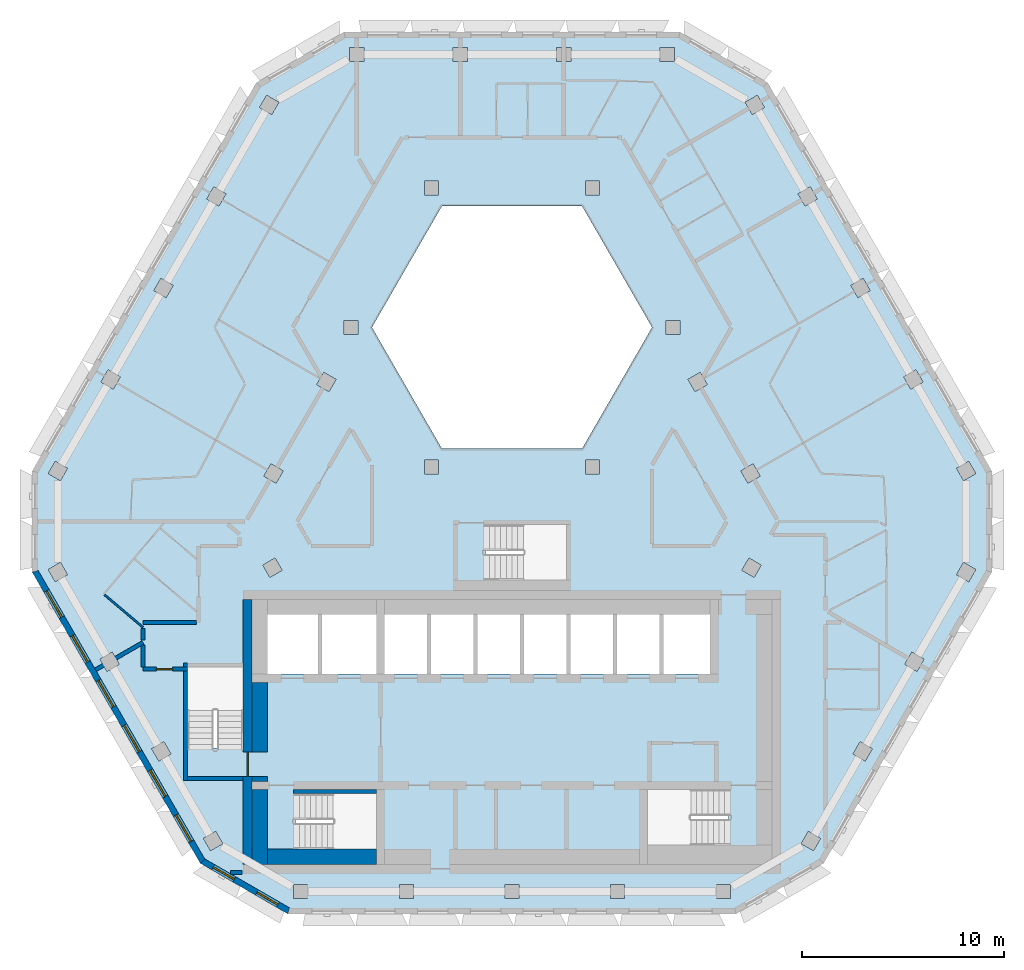
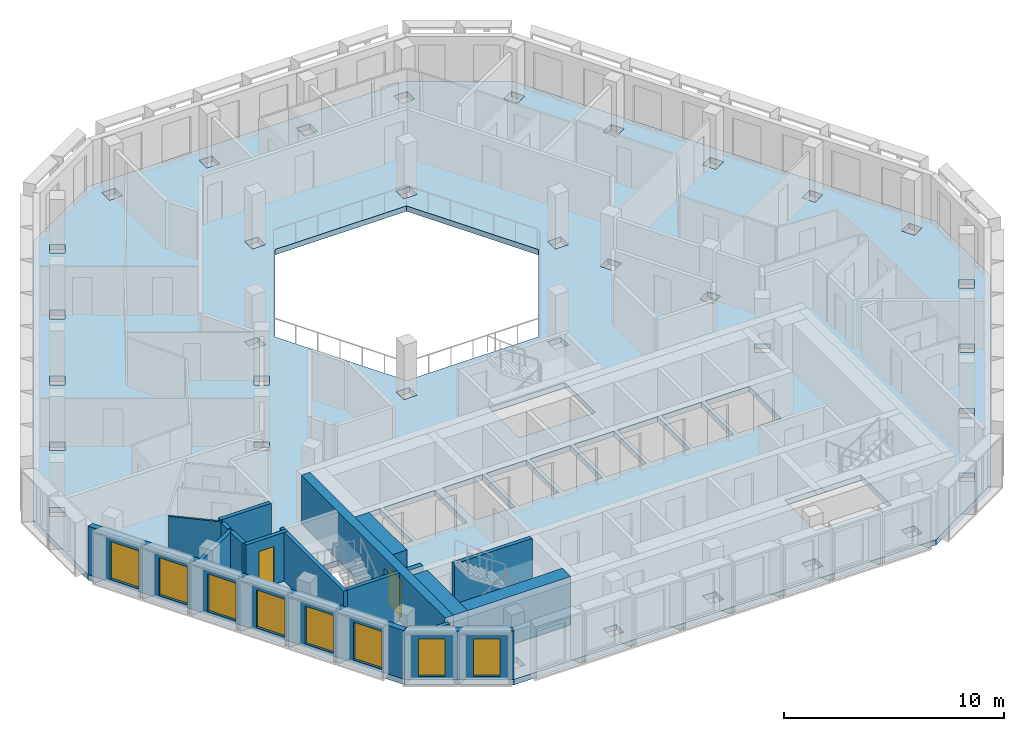
# One storey, part 2 of 16: 17 walls, 8 windows, 2 doors, 1 slab, 10 openings.
"""IFC4 building model written with IfcOpenShell, lengths in metres."""

import ifcopenshell
import ifcopenshell.guid

model = None  # the IFC model being written
_history = None  # IfcOwnerHistory: only IFC2X3 demands one
_inside = {}  # id of a spatial element -> (the spatial element, [elements in it])
_under = {}  # id of a project, library or spatial element -> (it, [spatial elements below it])
_declared = {}  # id of a project -> (the project, [libraries it declares])
_typed = {}  # id of a type object -> (the type object, [elements of that type])
_made_of = {}  # id of a material, layer set ... -> (it, [elements and type objects made of it])


def new_model(schema):
    """Start an empty IFC model of exactly this schema.

    Asked for "IFC4X3", IfcOpenShell would pick the latest addendum, in which some entities
    have other attributes; the version numbers below select the first issue.
    IFC2X3 requires an IfcOwnerHistory on every rooted entity: one is made here for all.
    """
    global model, _history
    if schema == "IFC4X3":
        model = ifcopenshell.file(schema_version=(4, 3, 0, 0))
    else:
        model = ifcopenshell.file(schema=schema)
    _inside.clear()
    _under.clear()
    _declared.clear()
    _typed.clear()
    _made_of.clear()
    _history = None
    if model.schema == "IFC2X3":
        org = make("IfcOrganization", Name="unknown")
        user = make(
            "IfcPersonAndOrganization",
            ThePerson=make("IfcPerson", FamilyName="unknown"),
            TheOrganization=org,
        )
        app = make(
            "IfcApplication",
            ApplicationDeveloper=org,
            Version="unknown",
            ApplicationFullName="unknown",
            ApplicationIdentifier="unknown",
        )
        _history = make(
            "IfcOwnerHistory",
            OwningUser=user,
            OwningApplication=app,
            ChangeAction="ADDED",
            CreationDate=0,
        )
    return model


def make(cls, **values):
    """One entity of the class cls with the attributes given. An attribute that is None is left unset."""
    return model.create_entity(
        cls, **{name: value for name, value in values.items() if value is not None}
    )


def rooted(cls, **values):
    """An entity with a GlobalId (a new one), such as an element, a storey or a relation."""
    return make(cls, GlobalId=ifcopenshell.guid.new(), OwnerHistory=_history, **values)


def si_unit(unit_type, name, prefix=None):
    """IfcSIUnit, for example si_unit("LENGTHUNIT", "METRE", prefix="MILLI")."""
    return make("IfcSIUnit", UnitType=unit_type, Prefix=prefix, Name=name)


def assignment(units):
    """IfcUnitAssignment: the units of a project."""
    return None if units is None else make("IfcUnitAssignment", Units=units)


def point(xyz):
    """IfcCartesianPoint."""
    return None if xyz is None else make("IfcCartesianPoint", Coordinates=xyz)


def direction(xyz):
    """IfcDirection."""
    return None if xyz is None else make("IfcDirection", DirectionRatios=xyz)


def frame(location, z_axis=None, x_axis=None):
    """IfcAxis2Placement3D, a coordinate frame: its origin and axes. An axis left out is left unset."""
    return make(
        "IfcAxis2Placement3D",
        Location=point(location),
        Axis=direction(z_axis),
        RefDirection=direction(x_axis),
    )


def frame_2d(location, x_axis=None):
    """IfcAxis2Placement2D, a coordinate frame in the plane: its origin and x axis."""
    return make(
        "IfcAxis2Placement2D", Location=point(location), RefDirection=direction(x_axis)
    )


def origin():
    """The frame at (0, 0, 0) with its axes left unset."""
    return frame((0.0, 0.0, 0.0))


def place(relative_to, where):
    """IfcLocalPlacement: puts the frame where relative to a parent placement (None: the world)."""
    return make(
        "IfcLocalPlacement", PlacementRelTo=relative_to, RelativePlacement=where
    )


def context(
    kind, dimensions, precision=None, world=None, true_north=None, identifier=None
):
    """IfcGeometricRepresentationContext, for example the 3D "Model" context."""
    return make(
        "IfcGeometricRepresentationContext",
        ContextIdentifier=identifier,
        ContextType=kind,
        CoordinateSpaceDimension=dimensions,
        Precision=precision,
        WorldCoordinateSystem=world,
        TrueNorth=true_north,
    )


def subcontext(parent, identifier, kind, view, scale=None):
    """IfcGeometricRepresentationSubContext, for example "Body" below "Model"."""
    return make(
        "IfcGeometricRepresentationSubContext",
        ContextIdentifier=identifier,
        ContextType=kind,
        ParentContext=parent,
        TargetScale=scale,
        TargetView=view,
    )


def project(units=None, contexts=None):
    """IfcProject with its units and contexts."""
    return rooted(
        "IfcProject",
        Name="project",
        RepresentationContexts=contexts,
        UnitsInContext=assignment(units),
    )


def spatial(cls, under=None, at=None, **own):
    """A site, building, storey or space (cls), placed at a placement, below another one or the project."""
    s = rooted(cls, ObjectPlacement=at, **own)
    if under is not None:
        _under.setdefault(under.id(), (under, []))[1].append(s)
    return s


def polyline(points):
    """IfcPolyline through the points."""
    return make("IfcPolyline", Points=[point(p) for p in points])


def profile(cls, at=None, kind="AREA", **sizes):
    """A parametric profile (cls). Its sizes go by their IFC names, for example OverallWidth=200.0."""
    return make(cls, ProfileType=kind, Position=at, **sizes)


def rectangle(**sizes):
    """IfcRectangleProfileDef."""
    return profile("IfcRectangleProfileDef", **sizes)


def outline(outer, holes=None, kind="AREA"):
    """IfcArbitraryClosedProfileDef: a profile drawn as a closed curve; with holes, ...WithVoids."""
    if holes is None:
        return make("IfcArbitraryClosedProfileDef", ProfileType=kind, OuterCurve=outer)
    return make(
        "IfcArbitraryProfileDefWithVoids",
        ProfileType=kind,
        OuterCurve=outer,
        InnerCurves=holes,
    )


def extrude(swept, where, along, depth):
    """IfcExtrudedAreaSolid: the profile swept, set in the frame where, extruded along a direction by depth."""
    return make(
        "IfcExtrudedAreaSolid",
        SweptArea=swept,
        Position=where,
        ExtrudedDirection=direction(along),
        Depth=depth,
    )


def shape(context_of_items, identifier, shape_type, items):
    """IfcShapeRepresentation: the items that make up one representation, for example the "Body"."""
    return make(
        "IfcShapeRepresentation",
        ContextOfItems=context_of_items,
        RepresentationIdentifier=identifier,
        RepresentationType=shape_type,
        Items=items,
    )


def material(Name=None, Category=None):
    """IfcMaterial."""
    return make("IfcMaterial", Name=Name, Category=Category)


def layer(
    of_material, thickness, ventilated=None, Name=None, Category=None, Priority=None
):
    """IfcMaterialLayer: one layer of a wall or slab, of a material (None: an air gap)."""
    return make(
        "IfcMaterialLayer",
        Material=of_material,
        LayerThickness=thickness,
        IsVentilated=ventilated,
        Name=Name,
        Category=Category,
        Priority=Priority,
    )


def layer_set(layers, Name=None):
    """IfcMaterialLayerSet."""
    return make("IfcMaterialLayerSet", MaterialLayers=layers, LayerSetName=Name)


def made_of(thing, what):
    """Note that an element or type object is made of a material, layer set ...; save() writes the relation."""
    if what is not None:
        _made_of.setdefault(what.id(), (what, []))[1].append(thing)
    return thing


def type_object(cls, material=None, **own):
    """A type object (cls), such as IfcWallType, which elements share."""
    return made_of(rooted(cls, **own), material)


def element(
    cls,
    number,
    at=None,
    inside=None,
    cuts=None,
    type_object=None,
    material=None,
    context=None,
    identifier="Body",
    shape_type=None,
    held_by="IfcProductDefinitionShape",
    body=None,
    shapes=None,
    **own,
):
    """One element of the class cls, such as IfcWall. Its Tag is "e" and its number.

    at: its placement. inside: the storey or other place that contains it. cuts: it is an
    opening in that element (IfcRelVoidsElement). A single representation is given by context,
    identifier, shape_type and body (its items); several are given by shapes. held_by: the class
    of the entity that holds the representations. save() writes the other relations.
    """
    e = rooted(cls, Tag="e%d" % number, ObjectPlacement=at, **own)
    if body is not None:
        shapes = [shape(context, identifier, shape_type, body)]
    if shapes is not None:
        e.Representation = make(held_by, Representations=shapes)
    if inside is not None:
        _inside.setdefault(inside.id(), (inside, []))[1].append(e)
    if cuts is not None:
        rooted(
            "IfcRelVoidsElement", RelatingBuildingElement=cuts, RelatedOpeningElement=e
        )
    if type_object is not None:
        _typed.setdefault(type_object.id(), (type_object, []))[1].append(e)
    return made_of(e, material)


def fill(opening, filler):
    """IfcRelFillsElement: the door or window that sits in an opening."""
    return rooted(
        "IfcRelFillsElement",
        RelatingOpeningElement=opening,
        RelatedBuildingElement=filler,
    )


def aggregate(whole, parts):
    """IfcRelAggregates: a whole, such as a stair, and the parts it consists of."""
    return rooted("IfcRelAggregates", RelatingObject=whole, RelatedObjects=parts)


def save(model, path):
    """Write the relations noted so far, then the file.

    IfcRelAggregates (storeys below a building ...), IfcRelContainedInSpatialStructure (elements
    in a storey), IfcRelDefinesByType, IfcRelAssociatesMaterial and IfcRelDeclares: one each for
    every whole, place, type object, material and project.
    """
    for whole, parts in _under.values():
        aggregate(whole, parts)
    for where, things in _inside.values():
        rooted(
            "IfcRelContainedInSpatialStructure",
            RelatedElements=things,
            RelatingStructure=where,
        )
    for kind, things in _typed.values():
        rooted("IfcRelDefinesByType", RelatedObjects=things, RelatingType=kind)
    for what, things in _made_of.values():
        rooted("IfcRelAssociatesMaterial", RelatedObjects=things, RelatingMaterial=what)
    for by, libraries in _declared.values():
        rooted("IfcRelDeclares", RelatingContext=by, RelatedDefinitions=libraries)
    model.write(path)


model = new_model("IFC4")

# Units and contexts
model_context = context("Model", 3, precision=1e-05, world=origin(), true_north=direction((0.0, 1.0)))
body_context = subcontext(model_context, "Body", "Model", "MODEL_VIEW")
ifc_project = project(units=[si_unit("LENGTHUNIT", "METRE"), si_unit("AREAUNIT", "SQUARE_METRE"), si_unit("VOLUMEUNIT", "CUBIC_METRE"), si_unit("PLANEANGLEUNIT", "RADIAN"), si_unit("MASSUNIT", "GRAM", prefix="KILO")], contexts=[model_context])

# Site, building, storey
site_placement = place(None, origin())
site = spatial("IfcSite", under=ifc_project, at=site_placement, CompositionType="ELEMENT")
building_placement = place(site_placement, origin())
building = spatial("IfcBuilding", under=site, at=building_placement, Name="Beryl Residences", CompositionType="ELEMENT")
storey_placement = place(building_placement, frame((0.0, 0.0, 220.800048828125)))
storey = spatial("IfcBuildingStorey", under=building, at=storey_placement, Name="L68", CompositionType="ELEMENT", Elevation=220.800048828125)

# Slab
ifc_material_1 = material(Name="Concrete C40/50", Category="concrete")
ifc_layer_1 = layer(ifc_material_1, 0.300048828125)
ifc_layer_set_1 = layer_set([ifc_layer_1], Name="SL7 PT floor slab 300 mm C40/50")
slab_type = type_object("IfcSlabType", Name="SL7 PT floor slab 300 mm C40/50", PredefinedType="FLOOR", material=ifc_layer_set_1)
slab_placement = place(storey_placement, frame((0.0, 0.0, -0.300048828125)))
element("IfcSlab", 1, at=slab_placement, inside=storey, type_object=slab_type, Name="L68 slab 1", PredefinedType="FLOOR", context=body_context, shape_type="SweptSolid", body=[
    extrude(outline(polyline([(23.72900390625, -4.10009765625), (15.4150390625, -18.5), (11.0849609375, -21.0), (-11.0849609375, -21.0), (-15.4150390625, -18.5), (-23.72900390625, -4.10009765625), (-23.72900390625, 0.89990234375), (-12.64404296875, 20.10009765625), (-8.31396484375, 22.60009765625), (8.31396484375, 22.60009765625), (12.64404296875, 20.10009765625), (23.72900390625, 0.89990234375), (23.72900390625, -4.10009765625)]), holes=[polyline([(21.97998046875, 1.028076171875), (22.330078125, 0.422119140625), (22.93603515625, 0.77197265625), (22.5859375, 1.3779296875), (21.97998046875, 1.028076171875)]), polyline([(21.97998046875, -4.22900390625), (22.5859375, -4.5791015625), (22.93603515625, -3.972900390625), (22.330078125, -3.623046875), (21.97998046875, -4.22900390625)]), polyline([(19.77099609375, -8.055908203125), (19.4208984375, -8.662109375), (20.027099609375, -9.011962890625), (20.376953125, -8.406005859375), (19.77099609375, -8.055908203125)]), polyline([(19.367919921875, 5.552978515625), (19.718017578125, 4.947021484375), (20.323974609375, 5.297119140625), (19.97412109375, 5.903076171875), (19.367919921875, 5.552978515625)]), polyline([(17.2109375, -12.489013671875), (16.861083984375, -13.094970703125), (17.467041015625, -13.445068359375), (17.81689453125, -12.839111328125), (17.2109375, -12.489013671875)]), polyline([(17.361083984375, 10.427978515625), (16.7548828125, 10.077880859375), (17.10498046875, 9.471923828125), (17.7109375, 9.822021484375), (17.361083984375, 10.427978515625)]), polyline([(15.258056640625, -17.27197265625), (14.652099609375, -16.922119140625), (14.302001953125, -17.528076171875), (14.907958984375, -17.8779296875), (15.258056640625, -17.27197265625)]), polyline([(14.14306640625, 14.60302734375), (14.492919921875, 13.9970703125), (15.09912109375, 14.346923828125), (14.7490234375, 14.952880859375), (14.14306640625, 14.60302734375)]), polyline([(11.531005859375, 19.1279296875), (11.881103515625, 18.52197265625), (12.487060546875, 18.8720703125), (12.136962890625, 19.47802734375), (11.531005859375, 19.1279296875)]), polyline([(11.717041015625, -3.406005859375), (11.366943359375, -4.011962890625), (11.972900390625, -4.362060546875), (12.322998046875, -3.756103515625), (11.717041015625, -3.406005859375)]), polyline([(11.919921875, 1.2529296875), (11.31396484375, 0.903076171875), (11.6640625, 0.297119140625), (12.27001953125, 0.64697265625), (11.919921875, 1.2529296875)]), polyline([(10.800048828125, -19.550048828125), (10.10009765625, -19.550048828125), (10.10009765625, -20.25), (10.800048828125, -20.25), (10.800048828125, -19.550048828125)]), polyline([(6.699951171875, -14.85009765625), (6.699951171875, -17.60009765625), (10.699951171875, -17.60009765625), (10.699951171875, -14.85009765625), (6.699951171875, -14.85009765625)]), polyline([(7.5, -9.14990234375), (9.800048828125, -9.14990234375), (9.800048828125, -6.199951171875), (7.5, -6.199951171875), (7.5, -9.14990234375)]), polyline([(8.700927734375, 5.427978515625), (9.051025390625, 4.822021484375), (9.656982421875, 5.172119140625), (9.306884765625, 5.778076171875), (8.700927734375, 5.427978515625)]), polyline([(8.31689453125, 7.64990234375), (8.31689453125, 8.35009765625), (7.616943359375, 8.35009765625), (7.616943359375, 7.64990234375), (8.31689453125, 7.64990234375)]), polyline([(7.3291015625, 21.85009765625), (7.3291015625, 21.14990234375), (8.029052734375, 21.14990234375), (8.029052734375, 21.85009765625), (7.3291015625, 21.85009765625)]), polyline([(5.199951171875, -9.14990234375), (7.300048828125, -9.14990234375), (7.300048828125, -6.199951171875), (5.199951171875, -6.199951171875), (5.199951171875, -9.14990234375)]), polyline([(3.464111328125, 14.0), (-3.464111328125, 14.0), (-6.92822265625, 8.0), (-3.464111328125, 2.0), (3.464111328125, 2.0), (6.92822265625, 8.0), (3.464111328125, 14.0)]), polyline([(4.875, -19.550048828125), (4.875, -20.25), (5.574951171875, -20.25), (5.574951171875, -19.550048828125), (4.875, -19.550048828125)]), polyline([(2.89990234375, -9.14990234375), (5.0, -9.14990234375), (5.0, -6.199951171875), (2.89990234375, -6.199951171875), (2.89990234375, -9.14990234375)]), polyline([(4.333984375, 15.25), (3.634033203125, 15.25), (3.634033203125, 14.550048828125), (4.333984375, 14.550048828125), (4.333984375, 15.25)]), polyline([(4.333984375, 1.449951171875), (3.634033203125, 1.449951171875), (3.634033203125, 0.75), (4.333984375, 0.75), (4.333984375, 1.449951171875)]), polyline([(2.2099609375, 21.85009765625), (2.2099609375, 21.14990234375), (2.909912109375, 21.14990234375), (2.909912109375, 21.85009765625), (2.2099609375, 21.85009765625)]), polyline([(2.699951171875, -9.14990234375), (2.699951171875, -6.199951171875), (0.60009765625, -6.199951171875), (0.60009765625, -9.14990234375), (2.699951171875, -9.14990234375)]), polyline([(2.699951171875, -4.5), (2.699951171875, -1.75), (-1.300048828125, -1.75), (-1.300048828125, -4.5), (2.699951171875, -4.5)]), polyline([(0.39990234375, -6.199951171875), (-1.699951171875, -6.199951171875), (-1.699951171875, -9.14990234375), (0.39990234375, -9.14990234375), (0.39990234375, -6.199951171875)]), polyline([(0.35009765625, -19.550048828125), (-0.35009765625, -19.550048828125), (-0.35009765625, -20.25), (0.35009765625, -20.25), (0.35009765625, -19.550048828125)]), polyline([(-4.0, -9.14990234375), (-1.89990234375, -9.14990234375), (-1.89990234375, -6.199951171875), (-4.0, -6.199951171875), (-4.0, -9.14990234375)]), polyline([(-2.908935546875, 21.14990234375), (-2.208984375, 21.14990234375), (-2.208984375, 21.85009765625), (-2.908935546875, 21.85009765625), (-2.908935546875, 21.14990234375)]), polyline([(-3.634033203125, 15.25), (-4.333984375, 15.25), (-4.333984375, 14.550048828125), (-3.634033203125, 14.550048828125), (-3.634033203125, 15.25)]), polyline([(-4.333984375, 1.449951171875), (-4.333984375, 0.75), (-3.634033203125, 0.75), (-3.634033203125, 1.449951171875), (-4.333984375, 1.449951171875)]), polyline([(-6.300048828125, -9.14990234375), (-4.199951171875, -9.14990234375), (-4.199951171875, -6.199951171875), (-6.300048828125, -6.199951171875), (-6.300048828125, -9.14990234375)]), polyline([(-4.875, -19.550048828125), (-5.574951171875, -19.550048828125), (-5.574951171875, -20.25), (-4.875, -20.25), (-4.875, -19.550048828125)]), polyline([(-9.39990234375, -6.199951171875), (-9.39990234375, -9.14990234375), (-6.699951171875, -9.14990234375), (-6.699951171875, -6.199951171875), (-9.39990234375, -6.199951171875)]), polyline([(-10.699951171875, -15.050048828125), (-10.699951171875, -17.800048828125), (-6.699951171875, -17.800048828125), (-6.699951171875, -15.050048828125), (-10.699951171875, -15.050048828125)]), polyline([(-8.028076171875, 21.14990234375), (-7.327880859375, 21.14990234375), (-7.327880859375, 21.85009765625), (-8.028076171875, 21.85009765625), (-8.028076171875, 21.14990234375)]), polyline([(-7.616943359375, 7.64990234375), (-7.616943359375, 8.35009765625), (-8.31689453125, 8.35009765625), (-8.31689453125, 7.64990234375), (-7.616943359375, 7.64990234375)]), polyline([(-9.051025390625, 4.822021484375), (-8.700927734375, 5.427978515625), (-9.306884765625, 5.778076171875), (-9.656982421875, 5.172119140625), (-9.051025390625, 4.822021484375)]), polyline([(-12.10009765625, -9.14990234375), (-9.60009765625, -9.14990234375), (-9.60009765625, -6.199951171875), (-12.10009765625, -6.199951171875), (-12.10009765625, -9.14990234375)]), polyline([(-10.800048828125, -19.550048828125), (-10.800048828125, -20.25), (-10.10009765625, -20.25), (-10.10009765625, -19.550048828125), (-10.800048828125, -19.550048828125)]), polyline([(-12.27001953125, 0.64697265625), (-11.6640625, 0.297119140625), (-11.31396484375, 0.903076171875), (-11.919921875, 1.2529296875), (-12.27001953125, 0.64697265625)]), polyline([(-11.972900390625, -4.361083984375), (-11.366943359375, -4.010986328125), (-11.717041015625, -3.405029296875), (-12.322998046875, -3.7548828125), (-11.972900390625, -4.361083984375)]), polyline([(-12.487060546875, 18.8720703125), (-11.881103515625, 18.52197265625), (-11.531005859375, 19.1279296875), (-12.136962890625, 19.47802734375), (-12.487060546875, 18.8720703125)]), polyline([(-13.300048828125, -8.800048828125), (-16.050048828125, -8.800048828125), (-16.050048828125, -12.800048828125), (-13.300048828125, -12.800048828125), (-13.300048828125, -8.800048828125)]), polyline([(-14.14306640625, 14.60302734375), (-14.7490234375, 14.952880859375), (-15.09912109375, 14.346923828125), (-14.492919921875, 13.9970703125), (-14.14306640625, 14.60302734375)]), polyline([(-14.302978515625, -17.527099609375), (-14.653076171875, -16.9208984375), (-15.259033203125, -17.27099609375), (-14.908935546875, -17.876953125), (-14.302978515625, -17.527099609375)]), polyline([(-17.10498046875, 9.471923828125), (-16.7548828125, 10.077880859375), (-17.361083984375, 10.427978515625), (-17.7109375, 9.822021484375), (-17.10498046875, 9.471923828125)]), polyline([(-17.2119140625, -12.488037109375), (-17.818115234375, -12.837890625), (-17.468017578125, -13.444091796875), (-16.862060546875, -13.093994140625), (-17.2119140625, -12.488037109375)]), polyline([(-19.718017578125, 4.947021484375), (-19.367919921875, 5.552978515625), (-19.97412109375, 5.903076171875), (-20.323974609375, 5.297119140625), (-19.718017578125, 4.947021484375)]), polyline([(-19.4208984375, -8.660888671875), (-19.77099609375, -8.054931640625), (-20.376953125, -8.405029296875), (-20.027099609375, -9.010986328125), (-19.4208984375, -8.660888671875)]), polyline([(-22.330078125, 0.422119140625), (-21.97998046875, 1.028076171875), (-22.5859375, 1.3779296875), (-22.93603515625, 0.77197265625), (-22.330078125, 0.422119140625)]), polyline([(-21.98095703125, -4.22802734375), (-22.3310546875, -3.6220703125), (-22.93701171875, -3.971923828125), (-22.5869140625, -4.577880859375), (-21.98095703125, -4.22802734375)])]), origin(), (0.0, 0.0, 1.0), 0.300048828125),
])

# Wall, openings, windows
ifc_material_2 = material(Name="Composite metal panel with mineral wool insulation")
ifc_layer_2 = layer(ifc_material_2, 0.300048828125)
ifc_layer_set_2 = layer_set([ifc_layer_2], Name="ES1 pale metal composite panel wall 300 mm")
wall_type_1 = type_object("IfcWallType", Name="ES1 pale metal composite panel wall 300 mm", PredefinedType="SOLIDWALL", material=ifc_layer_set_2)
wall_1_placement = place(storey_placement, frame((-23.59912109375, -4.02490234375, 0.0), z_axis=(0.0, 0.0, 1.0), x_axis=(0.500012653391, -0.866018098222, 0.0)))
wall_1 = element("IfcWall", 2, at=wall_1_placement, inside=storey, type_object=wall_type_1, Name="ES1 external wall L68 SW", PredefinedType="SOLIDWALL", context=body_context, shape_type="SweptSolid", body=[
    extrude(outline(polyline([(0.0, -0.14990234375), (16.6279296875, -0.14990234375), (16.547607421875, 0.14990234375), (0.080322265625, 0.14990234375), (0.0, -0.14990234375)])), origin(), (0.0, 0.0, 1.0), 2.699951171875),
])
opening_1_placement = place(wall_1_placement, frame((1.1640625, 0.0, 0.14990234375)))
opening_1 = element("IfcOpeningElement", 3, at=opening_1_placement, cuts=wall_1, Name="Opening W1", PredefinedType="OPENING", context=body_context, shape_type="SweptSolid", body=[
    extrude(rectangle(XDim=1.5, YDim=2.10009765625, at=frame_2d((0.75, 1.050048828125))), frame((0.0, 0.159912109375, 0.0), z_axis=(0.0, -1.0, 0.0), x_axis=(1.0, 0.0, 0.0)), (0.0, 0.0, 1.0), 0.320068359375),
])
opening_2_placement = place(wall_1_placement, frame((3.72412109375, 0.0, 0.14990234375)))
opening_2 = element("IfcOpeningElement", 4, at=opening_2_placement, cuts=wall_1, Name="Opening W1", PredefinedType="OPENING", context=body_context, shape_type="SweptSolid", body=[
    extrude(rectangle(XDim=1.5, YDim=2.10009765625, at=frame_2d((0.75, 1.050048828125))), frame((0.0, 0.159912109375, 0.0), z_axis=(0.0, -1.0, 0.0), x_axis=(1.0, 0.0, 0.0)), (0.0, 0.0, 1.0), 0.320068359375),
])
opening_3_placement = place(wall_1_placement, frame((6.282958984375, 0.0, 0.14990234375)))
opening_3 = element("IfcOpeningElement", 5, at=opening_3_placement, cuts=wall_1, Name="Opening W1", PredefinedType="OPENING", context=body_context, shape_type="SweptSolid", body=[
    extrude(rectangle(XDim=1.5, YDim=2.10009765625, at=frame_2d((0.75, 1.050048828125))), frame((0.0, 0.159912109375, 0.0), z_axis=(0.0, -1.0, 0.0), x_axis=(1.0, 0.0, 0.0)), (0.0, 0.0, 1.0), 0.320068359375),
])
opening_4_placement = place(wall_1_placement, frame((8.843017578125, 0.0, 0.14990234375)))
opening_4 = element("IfcOpeningElement", 6, at=opening_4_placement, cuts=wall_1, Name="Opening W1", PredefinedType="OPENING", context=body_context, shape_type="SweptSolid", body=[
    extrude(rectangle(XDim=1.5, YDim=2.10009765625, at=frame_2d((0.75, 1.050048828125))), frame((0.0, 0.159912109375, 0.0), z_axis=(0.0, -1.0, 0.0), x_axis=(1.0, 0.0, 0.0)), (0.0, 0.0, 1.0), 0.320068359375),
])
opening_5_placement = place(wall_1_placement, frame((11.403076171875, 0.0, 0.14990234375)))
opening_5 = element("IfcOpeningElement", 7, at=opening_5_placement, cuts=wall_1, Name="Opening W1", PredefinedType="OPENING", context=body_context, shape_type="SweptSolid", body=[
    extrude(rectangle(XDim=1.5, YDim=2.10009765625, at=frame_2d((0.75, 1.050048828125))), frame((0.0, 0.159912109375, 0.0), z_axis=(0.0, -1.0, 0.0), x_axis=(1.0, 0.0, 0.0)), (0.0, 0.0, 1.0), 0.320068359375),
])
opening_6_placement = place(wall_1_placement, frame((13.9619140625, 0.0, 0.14990234375)))
opening_6 = element("IfcOpeningElement", 8, at=opening_6_placement, cuts=wall_1, Name="Opening W1", PredefinedType="OPENING", context=body_context, shape_type="SweptSolid", body=[
    extrude(rectangle(XDim=1.5, YDim=2.10009765625, at=frame_2d((0.75, 1.050048828125))), frame((0.0, 0.159912109375, 0.0), z_axis=(0.0, -1.0, 0.0), x_axis=(1.0, 0.0, 0.0)), (0.0, 0.0, 1.0), 0.320068359375),
])
ifc_material_3 = material(Name="Aluminium and clear glass", Category="aluminium")
window_type_1 = type_object("IfcWindowType", Name="W1 cell window 1500 x 2100 mm", PartitioningType="SINGLE_PANEL", PredefinedType="WINDOW", material=ifc_material_3)
window_1_placement = place(opening_1_placement, origin())
window_1 = element("IfcWindow", 9, at=window_1_placement, inside=storey, type_object=window_type_1, Name="W1 window L68 SW 1", OverallHeight=2.10009765625, OverallWidth=1.5, PartitioningType="SINGLE_PANEL", PredefinedType="WINDOW", context=body_context, shape_type="SweptSolid", body=[
    extrude(rectangle(XDim=1.5, YDim=2.10009765625, at=frame_2d((0.75, 1.050048828125))), frame((0.0, 0.030029296875, 0.0), z_axis=(0.0, -1.0, 0.0), x_axis=(1.0, 0.0, 0.0)), (0.0, 0.0, 1.0), 0.06005859375),
])
fill(opening_1, window_1)
window_2_placement = place(opening_2_placement, origin())
window_2 = element("IfcWindow", 10, at=window_2_placement, inside=storey, type_object=window_type_1, Name="W1 window L68 SW 2", OverallHeight=2.10009765625, OverallWidth=1.5, PartitioningType="SINGLE_PANEL", PredefinedType="WINDOW", context=body_context, shape_type="SweptSolid", body=[
    extrude(rectangle(XDim=1.5, YDim=2.10009765625, at=frame_2d((0.75, 1.050048828125))), frame((0.0, 0.030029296875, 0.0), z_axis=(0.0, -1.0, 0.0), x_axis=(1.0, 0.0, 0.0)), (0.0, 0.0, 1.0), 0.06005859375),
])
fill(opening_2, window_2)
window_3_placement = place(opening_3_placement, origin())
window_3 = element("IfcWindow", 11, at=window_3_placement, inside=storey, type_object=window_type_1, Name="W1 window L68 SW 3", OverallHeight=2.10009765625, OverallWidth=1.5, PartitioningType="SINGLE_PANEL", PredefinedType="WINDOW", context=body_context, shape_type="SweptSolid", body=[
    extrude(rectangle(XDim=1.5, YDim=2.10009765625, at=frame_2d((0.75, 1.050048828125))), frame((0.0, 0.030029296875, 0.0), z_axis=(0.0, -1.0, 0.0), x_axis=(1.0, 0.0, 0.0)), (0.0, 0.0, 1.0), 0.06005859375),
])
fill(opening_3, window_3)
window_4_placement = place(opening_4_placement, origin())
window_4 = element("IfcWindow", 12, at=window_4_placement, inside=storey, type_object=window_type_1, Name="W1 window L68 SW 4", OverallHeight=2.10009765625, OverallWidth=1.5, PartitioningType="SINGLE_PANEL", PredefinedType="WINDOW", context=body_context, shape_type="SweptSolid", body=[
    extrude(rectangle(XDim=1.5, YDim=2.10009765625, at=frame_2d((0.75, 1.050048828125))), frame((0.0, 0.030029296875, 0.0), z_axis=(0.0, -1.0, 0.0), x_axis=(1.0, 0.0, 0.0)), (0.0, 0.0, 1.0), 0.06005859375),
])
fill(opening_4, window_4)
window_5_placement = place(opening_5_placement, origin())
window_5 = element("IfcWindow", 13, at=window_5_placement, inside=storey, type_object=window_type_1, Name="W1 window L68 SW 5", OverallHeight=2.10009765625, OverallWidth=1.5, PartitioningType="SINGLE_PANEL", PredefinedType="WINDOW", context=body_context, shape_type="SweptSolid", body=[
    extrude(rectangle(XDim=1.5, YDim=2.10009765625, at=frame_2d((0.75, 1.050048828125))), frame((0.0, 0.030029296875, 0.0), z_axis=(0.0, -1.0, 0.0), x_axis=(1.0, 0.0, 0.0)), (0.0, 0.0, 1.0), 0.06005859375),
])
fill(opening_5, window_5)
window_6_placement = place(opening_6_placement, origin())
window_6 = element("IfcWindow", 14, at=window_6_placement, inside=storey, type_object=window_type_1, Name="W1 window L68 SW 6", OverallHeight=2.10009765625, OverallWidth=1.5, PartitioningType="SINGLE_PANEL", PredefinedType="WINDOW", context=body_context, shape_type="SweptSolid", body=[
    extrude(rectangle(XDim=1.5, YDim=2.10009765625, at=frame_2d((0.75, 1.050048828125))), frame((0.0, 0.030029296875, 0.0), z_axis=(0.0, -1.0, 0.0), x_axis=(1.0, 0.0, 0.0)), (0.0, 0.0, 1.0), 0.06005859375),
])
fill(opening_6, window_6)

wall_2_placement = place(storey_placement, frame((-15.340087890625, -18.3701171875, 0.0), z_axis=(0.0, 0.0, 1.0), x_axis=(0.866022959057, -0.500004234368, 0.0)))
wall_2 = element("IfcWall", 15, at=wall_2_placement, inside=storey, type_object=wall_type_1, Name="ES1 external wall L68 SW-S", PredefinedType="SOLIDWALL", context=body_context, shape_type="SweptSolid", body=[
    extrude(outline(polyline([(0.0, -0.14990234375), (5.0, -0.14990234375), (4.919677734375, 0.14990234375), (0.080322265625, 0.14990234375), (0.0, -0.14990234375)])), origin(), (0.0, 0.0, 1.0), 2.699951171875),
])
opening_7_placement = place(wall_2_placement, frame((0.64990234375, 0.0, 0.14990234375)))
opening_7 = element("IfcOpeningElement", 16, at=opening_7_placement, cuts=wall_2, Name="Opening W2", PredefinedType="OPENING", context=body_context, shape_type="SweptSolid", body=[
    extrude(rectangle(XDim=1.199951171875, YDim=2.10009765625, at=frame_2d((0.60009765625, 1.050048828125))), frame((0.0, 0.159912109375, 0.0), z_axis=(0.0, -1.0, 0.0), x_axis=(1.0, 0.0, 0.0)), (0.0, 0.0, 1.0), 0.320068359375),
])
opening_8_placement = place(wall_2_placement, frame((3.14990234375, 0.0, 0.14990234375)))
opening_8 = element("IfcOpeningElement", 17, at=opening_8_placement, cuts=wall_2, Name="Opening W2", PredefinedType="OPENING", context=body_context, shape_type="SweptSolid", body=[
    extrude(rectangle(XDim=1.199951171875, YDim=2.10009765625, at=frame_2d((0.60009765625, 1.050048828125))), frame((0.0, 0.159912109375, 0.0), z_axis=(0.0, -1.0, 0.0), x_axis=(1.0, 0.0, 0.0)), (0.0, 0.0, 1.0), 0.320068359375),
])
ifc_material_4 = material(Name="Aluminium and clear glass", Category="aluminium")
window_type_2 = type_object("IfcWindowType", Name="W2 chamfer window 1200 x 2100 mm", PartitioningType="SINGLE_PANEL", PredefinedType="WINDOW", material=ifc_material_4)
window_7_placement = place(opening_7_placement, origin())
window_7 = element("IfcWindow", 18, at=window_7_placement, inside=storey, type_object=window_type_2, Name="W2 window L68 SW-S 1", OverallHeight=2.10009765625, OverallWidth=1.199951171875, PartitioningType="SINGLE_PANEL", PredefinedType="WINDOW", context=body_context, shape_type="SweptSolid", body=[
    extrude(rectangle(XDim=1.199951171875, YDim=2.10009765625, at=frame_2d((0.60009765625, 1.050048828125))), frame((0.0, 0.030029296875, 0.0), z_axis=(0.0, -1.0, 0.0), x_axis=(1.0, 0.0, 0.0)), (0.0, 0.0, 1.0), 0.06005859375),
])
fill(opening_7, window_7)
window_8_placement = place(opening_8_placement, origin())
window_8 = element("IfcWindow", 19, at=window_8_placement, inside=storey, type_object=window_type_2, Name="W2 window L68 SW-S 2", OverallHeight=2.10009765625, OverallWidth=1.199951171875, PartitioningType="SINGLE_PANEL", PredefinedType="WINDOW", context=body_context, shape_type="SweptSolid", body=[
    extrude(rectangle(XDim=1.199951171875, YDim=2.10009765625, at=frame_2d((0.60009765625, 1.050048828125))), frame((0.0, 0.030029296875, 0.0), z_axis=(0.0, -1.0, 0.0), x_axis=(1.0, 0.0, 0.0)), (0.0, 0.0, 1.0), 0.06005859375),
])
fill(opening_8, window_8)

# Walls
ifc_material_5 = material(Name="Gypsum board partition on steel studs", Category="steel")
ifc_layer_3 = layer(ifc_material_5, 0.10009765625)
ifc_layer_set_3 = layer_set([ifc_layer_3], Name="PT1 partition 100 mm gypsum board on steel studs")
wall_type_2 = type_object("IfcWallType", Name="PT1 partition 100 mm gypsum board on steel studs", PredefinedType="PARTITIONING", material=ifc_layer_set_3)
wall_3_placement = place(storey_placement, frame((-20.14990234375, -5.222900390625, 0.0), z_axis=(0.0, 0.0, 1.0), x_axis=(0.763471868926, -0.645841083672, 0.0)))
element("IfcWall", 20, at=wall_3_placement, inside=storey, type_object=wall_type_2, Name="Wall PT1 L68 019", PredefinedType="PARTITIONING", context=body_context, shape_type="SweptSolid", body=[
    extrude(rectangle(XDim=2.488525390625, YDim=0.10009765625, at=frame_2d((1.244140625, 0.0))), origin(), (0.0, 0.0, 1.0), 2.699951171875),
])
ifc_material_6 = material(Name="Concrete masonry", Category="masonry")
ifc_layer_4 = layer(ifc_material_6, 0.25)
ifc_layer_set_4 = layer_set([ifc_layer_4], Name="PT13-250 lobby wall 250 mm")
wall_type_3 = type_object("IfcWallType", Name="PT13-250 lobby wall 250 mm", PredefinedType="PARTITIONING", material=ifc_layer_set_4)
wall_4_placement = place(storey_placement, frame((-12.85009765625, -14.324951171875, 0.0), z_axis=(0.0, 0.0, 1.0), x_axis=(1.0, 0.0, 0.0)))
element("IfcWall", 21, at=wall_4_placement, inside=storey, type_object=wall_type_3, Name="Lobby wall 05", PredefinedType="PARTITIONING", context=body_context, shape_type="SweptSolid", body=[
    extrude(rectangle(XDim=0.75, YDim=0.25, at=frame_2d((0.375, 0.0))), origin(), (0.0, 0.0, 1.0), 2.699951171875),
])
ifc_material_7 = material(Name="Concrete masonry", Category="masonry")
ifc_layer_5 = layer(ifc_material_7, 0.75)
ifc_layer_set_5 = layer_set([ifc_layer_5], Name="PT13-750 lobby wall 750 mm")
wall_type_4 = type_object("IfcWallType", Name="PT13-750 lobby wall 750 mm", PredefinedType="PARTITIONING", material=ifc_layer_set_5)
wall_5_placement = place(storey_placement, frame((-12.47509765625, -13.0, 0.0), z_axis=(0.0, 0.0, 1.0), x_axis=(0.0, 1.0, 0.0)))
element("IfcWall", 22, at=wall_5_placement, inside=storey, type_object=wall_type_4, Name="Lobby wall 06", PredefinedType="PARTITIONING", context=body_context, shape_type="SweptSolid", body=[
    extrude(rectangle(XDim=3.449951171875, YDim=0.75, at=frame_2d((1.72509765625, 0.0))), origin(), (0.0, 0.0, 1.0), 2.699951171875),
])
ifc_material_8 = material(Name="Acoustic double stud gypsum board wall")
ifc_layer_6 = layer(ifc_material_8, 0.199951171875)
ifc_layer_set_6 = layer_set([ifc_layer_6], Name="PT3 party wall 200 mm acoustic double stud")
wall_type_5 = type_object("IfcWallType", Name="PT3 party wall 200 mm acoustic double stud", PredefinedType="PARTITIONING", material=ifc_layer_set_6)
wall_6_placement = place(storey_placement, frame((-13.9150390625, -18.949951171875, 0.0), z_axis=(0.0, 0.0, 1.0), x_axis=(1.0, 0.0, 0.0)))
element("IfcWall", 23, at=wall_6_placement, inside=storey, type_object=wall_type_5, Name="Wall PT3 L68 009", PredefinedType="PARTITIONING", context=body_context, shape_type="SweptSolid", body=[
    extrude(rectangle(XDim=0.554931640625, YDim=0.199951171875, at=frame_2d((0.27734375, 0.0))), origin(), (0.0, 0.0, 1.0), 2.699951171875),
])
wall_7_placement = place(storey_placement, frame((-20.592041015625, -8.93310546875, 0.0), z_axis=(0.0, 0.0, 1.0), x_axis=(0.866045775131, 0.499964714133, 0.0)))
element("IfcWall", 24, at=wall_7_placement, inside=storey, type_object=wall_type_5, Name="Wall PT3 L68 016", PredefinedType="PARTITIONING", context=body_context, shape_type="SweptSolid", body=[
    extrude(rectangle(XDim=2.704345703125, YDim=0.199951171875, at=frame_2d((1.35205078125, 0.0))), origin(), (0.0, 0.0, 1.0), 2.699951171875),
])
ifc_material_9 = material(Name="Double stud gypsum board wall")
ifc_layer_7 = layer(ifc_material_9, 0.199951171875)
ifc_layer_set_7 = layer_set([ifc_layer_7], Name="PT4 corridor wall 200 mm double stud")
wall_type_6 = type_object("IfcWallType", Name="PT4 corridor wall 200 mm double stud", PredefinedType="PARTITIONING", material=ifc_layer_set_7)
wall_8_placement = place(storey_placement, frame((-18.25, -7.696044921875, 0.0), z_axis=(0.0, 0.0, 1.0), x_axis=(0.0, -1.0, 0.0)))
element("IfcWall", 25, at=wall_8_placement, inside=storey, type_object=wall_type_6, Name="Wall PT4 L68 008", PredefinedType="PARTITIONING", context=body_context, shape_type="SweptSolid", body=[
    extrude(rectangle(XDim=1.10302734375, YDim=0.199951171875, at=frame_2d((0.551513671875, 0.0))), origin(), (0.0, 0.0, 1.0), 2.699951171875),
])
wall_9_placement = place(storey_placement, frame((-18.2490234375, -6.60009765625, 0.0), z_axis=(0.0, 0.0, 1.0), x_axis=(1.0, 0.0, 0.0)))
element("IfcWall", 26, at=wall_9_placement, inside=storey, type_object=wall_type_6, Name="Wall PT4 L68 011", PredefinedType="PARTITIONING", context=body_context, shape_type="SweptSolid", body=[
    extrude(rectangle(XDim=2.64794921875, YDim=0.199951171875, at=frame_2d((1.323974609375, 0.0))), origin(), (0.0, 0.0, 1.0), 2.699951171875),
])

# Wall, opening, door
wall_10_placement = place(storey_placement, frame((-18.2490234375, -8.89990234375, 0.0), z_axis=(0.0, 0.0, 1.0), x_axis=(1.0, 0.0, 0.0)))
wall_10 = element("IfcWall", 27, at=wall_10_placement, inside=storey, type_object=wall_type_6, Name="Wall PT4 L68 012", PredefinedType="PARTITIONING", context=body_context, shape_type="SweptSolid", body=[
    extrude(rectangle(XDim=2.198974609375, YDim=0.199951171875, at=frame_2d((1.099609375, 0.0))), origin(), (0.0, 0.0, 1.0), 2.699951171875),
])
opening_9_placement = place(wall_10_placement, frame((0.6689453125, 0.0, 0.0)))
opening_9 = element("IfcOpeningElement", 28, at=opening_9_placement, cuts=wall_10, Name="Opening D1936", PredefinedType="OPENING", context=body_context, shape_type="SweptSolid", body=[
    extrude(rectangle(XDim=0.800048828125, YDim=2.10009765625, at=frame_2d((0.39990234375, 1.050048828125))), frame((0.0, 0.10986328125, 0.0), z_axis=(0.0, -1.0, 0.0), x_axis=(1.0, 0.0, 0.0)), (0.0, 0.0, 1.0), 0.219970703125),
])
ifc_material_10 = material(Name="Timber door leaf", Category="wood")
door_type_1 = type_object("IfcDoorType", Name="D3 bathroom door 800 x 2100 mm", OperationType="SINGLE_SWING_LEFT", PredefinedType="DOOR", material=ifc_material_10)
door_1_placement = place(opening_9_placement, origin())
door_1 = element("IfcDoor", 29, at=door_1_placement, inside=storey, type_object=door_type_1, Name="Door D1936 L68 001", OperationType="SINGLE_SWING_RIGHT", OverallHeight=2.10009765625, OverallWidth=0.800048828125, PredefinedType="DOOR", context=body_context, shape_type="SweptSolid", body=[
    extrude(rectangle(XDim=0.800048828125, YDim=2.10009765625, at=frame_2d((0.39990234375, 1.050048828125))), frame((0.0, 0.02490234375, 0.0), z_axis=(0.0, -1.0, 0.0), x_axis=(1.0, 0.0, 0.0)), (0.0, 0.0, 1.0), 0.050048828125),
])
fill(opening_9, door_1)

# Walls
wall_11_placement = place(storey_placement, frame((-18.25, -7.465087890625, 0.0), z_axis=(0.0, 0.0, 1.0), x_axis=(0.0, 1.0, 0.0)))
element("IfcWall", 30, at=wall_11_placement, inside=storey, type_object=wall_type_6, Name="Wall PT4 L68 031", PredefinedType="PARTITIONING", context=body_context, shape_type="SweptSolid", body=[
    extrude(rectangle(XDim=0.570068359375, YDim=0.199951171875, at=frame_2d((0.28515625, 0.0))), origin(), (0.0, 0.0, 1.0), 2.699951171875),
])
ifc_material_11 = material(Name="Concrete C40/50", Category="concrete")
ifc_layer_8 = layer(ifc_material_11, 0.199951171875)
ifc_layer_set_8 = layer_set([ifc_layer_8], Name="PT5 stair enclosure wall 200 mm reinforced concrete C40/50")
wall_type_7 = type_object("IfcWallType", Name="PT5 stair enclosure wall 200 mm reinforced concrete C40/50", PredefinedType="SOLIDWALL", material=ifc_layer_set_8)
wall_12_placement = place(storey_placement, frame((-16.14990234375, -14.39990234375, 0.0), z_axis=(0.0, 0.0, 1.0), x_axis=(0.0, 1.0, 0.0)))
element("IfcWall", 31, at=wall_12_placement, inside=storey, type_object=wall_type_7, Name="Stair wall 01", PredefinedType="SOLIDWALL", context=body_context, shape_type="SweptSolid", body=[
    extrude(rectangle(XDim=5.7998046875, YDim=0.199951171875, at=frame_2d((2.89990234375, 0.0))), origin(), (0.0, 0.0, 1.0), 2.699951171875),
])
wall_13_placement = place(storey_placement, frame((-16.050048828125, -14.300048828125, 0.0), z_axis=(0.0, 0.0, 1.0), x_axis=(1.0, 0.0, 0.0)))
element("IfcWall", 32, at=wall_13_placement, inside=storey, type_object=wall_type_7, Name="Stair wall 02", PredefinedType="SOLIDWALL", context=body_context, shape_type="SweptSolid", body=[
    extrude(rectangle(XDim=2.75, YDim=0.199951171875, at=frame_2d((1.375, 0.0))), origin(), (0.0, 0.0, 1.0), 2.699951171875),
])
wall_14_placement = place(storey_placement, frame((-10.800048828125, -14.949951171875, 0.0), z_axis=(0.0, 0.0, 1.0), x_axis=(1.0, 0.0, 0.0)))
element("IfcWall", 33, at=wall_14_placement, inside=storey, type_object=wall_type_7, Name="Stair wall 10", PredefinedType="SOLIDWALL", context=body_context, shape_type="SweptSolid", body=[
    extrude(rectangle(XDim=4.10009765625, YDim=0.199951171875, at=frame_2d((2.050048828125, 0.0))), origin(), (0.0, 0.0, 1.0), 2.699951171875),
])
ifc_material_12 = material(Name="Concrete C40/50", Category="concrete")
ifc_layer_9 = layer(ifc_material_12, 0.75)
ifc_layer_set_9 = layer_set([ifc_layer_9], Name="PT5-750 stair enclosure wall 750 mm")
wall_type_8 = type_object("IfcWallType", Name="PT5-750 stair enclosure wall 750 mm", PredefinedType="SOLIDWALL", material=ifc_layer_set_9)
wall_15_placement = place(storey_placement, frame((-12.47509765625, -18.550048828125, 0.0), z_axis=(0.0, 0.0, 1.0), x_axis=(0.0, 1.0, 0.0)))
element("IfcWall", 34, at=wall_15_placement, inside=storey, type_object=wall_type_8, Name="Stair wall 04", PredefinedType="SOLIDWALL", context=body_context, shape_type="SweptSolid", body=[
    extrude(rectangle(XDim=3.699951171875, YDim=0.75, at=frame_2d((1.85009765625, 0.0))), origin(), (0.0, 0.0, 1.0), 2.699951171875),
])
wall_16_placement = place(storey_placement, frame((-12.10009765625, -18.175048828125, 0.0), z_axis=(0.0, 0.0, 1.0), x_axis=(1.0, 0.0, 0.0)))
element("IfcWall", 35, at=wall_16_placement, inside=storey, type_object=wall_type_8, Name="Stair wall 08", PredefinedType="SOLIDWALL", context=body_context, shape_type="SweptSolid", body=[
    extrude(rectangle(XDim=5.400146484375, YDim=0.75, at=frame_2d((2.7001953125, 0.0))), origin(), (0.0, 0.0, 1.0), 2.699951171875),
])

# Wall, opening, door
ifc_material_13 = material(Name="Concrete C50/60", Category="concrete")
ifc_layer_10 = layer(ifc_material_13, 0.449951171875)
ifc_layer_set_10 = layer_set([ifc_layer_10], Name="SW5 core outer wall 450 mm C50/60")
wall_type_9 = type_object("IfcWallType", Name="SW5 core outer wall 450 mm C50/60", PredefinedType="SHEAR", material=ifc_layer_set_10)
wall_17_placement = place(storey_placement, frame((-13.074951171875, -18.550048828125, 0.0), z_axis=(0.0, 0.0, 1.0), x_axis=(0.0, 1.0, 0.0)))
wall_17 = element("IfcWall", 36, at=wall_17_placement, inside=storey, type_object=wall_type_9, Name="Core wall W L68", PredefinedType="SHEAR", context=body_context, shape_type="SweptSolid", body=[
    extrude(rectangle(XDim=13.10009765625, YDim=0.449951171875, at=frame_2d((6.550048828125, 0.0))), origin(), (0.0, 0.0, 1.0), 2.699951171875),
])
opening_10_placement = place(wall_17_placement, frame((4.35009765625, 0.0, 0.0)))
opening_10 = element("IfcOpeningElement", 37, at=opening_10_placement, cuts=wall_17, Name="Opening SD-2", PredefinedType="OPENING", context=body_context, shape_type="SweptSolid", body=[
    extrude(rectangle(XDim=1.199951171875, YDim=2.10009765625, at=frame_2d((0.60009765625, 1.050048828125))), frame((0.0, 0.23486328125, 0.0), z_axis=(0.0, -1.0, 0.0), x_axis=(1.0, 0.0, 0.0)), (0.0, 0.0, 1.0), 0.469970703125),
])
ifc_material_14 = material(Name="Steel door leaf in steel frame", Category="steel")
door_type_2 = type_object("IfcDoorType", Name="D4 stair door 1200 x 2100 mm", OperationType="SINGLE_SWING_LEFT", PredefinedType="DOOR", material=ifc_material_14)
door_2_placement = place(opening_10_placement, origin())
door_2 = element("IfcDoor", 38, at=door_2_placement, inside=storey, type_object=door_type_2, Name="Door SD-2 L68 001", OperationType="SINGLE_SWING_RIGHT", OverallHeight=2.10009765625, OverallWidth=1.199951171875, PredefinedType="DOOR", context=body_context, shape_type="SweptSolid", body=[
    extrude(rectangle(XDim=1.199951171875, YDim=2.10009765625, at=frame_2d((0.60009765625, 1.050048828125))), frame((0.0, 0.02490234375, 0.0), z_axis=(0.0, -1.0, 0.0), x_axis=(1.0, 0.0, 0.0)), (0.0, 0.0, 1.0), 0.050048828125),
])
fill(opening_10, door_2)

save(model, "model.ifc")
